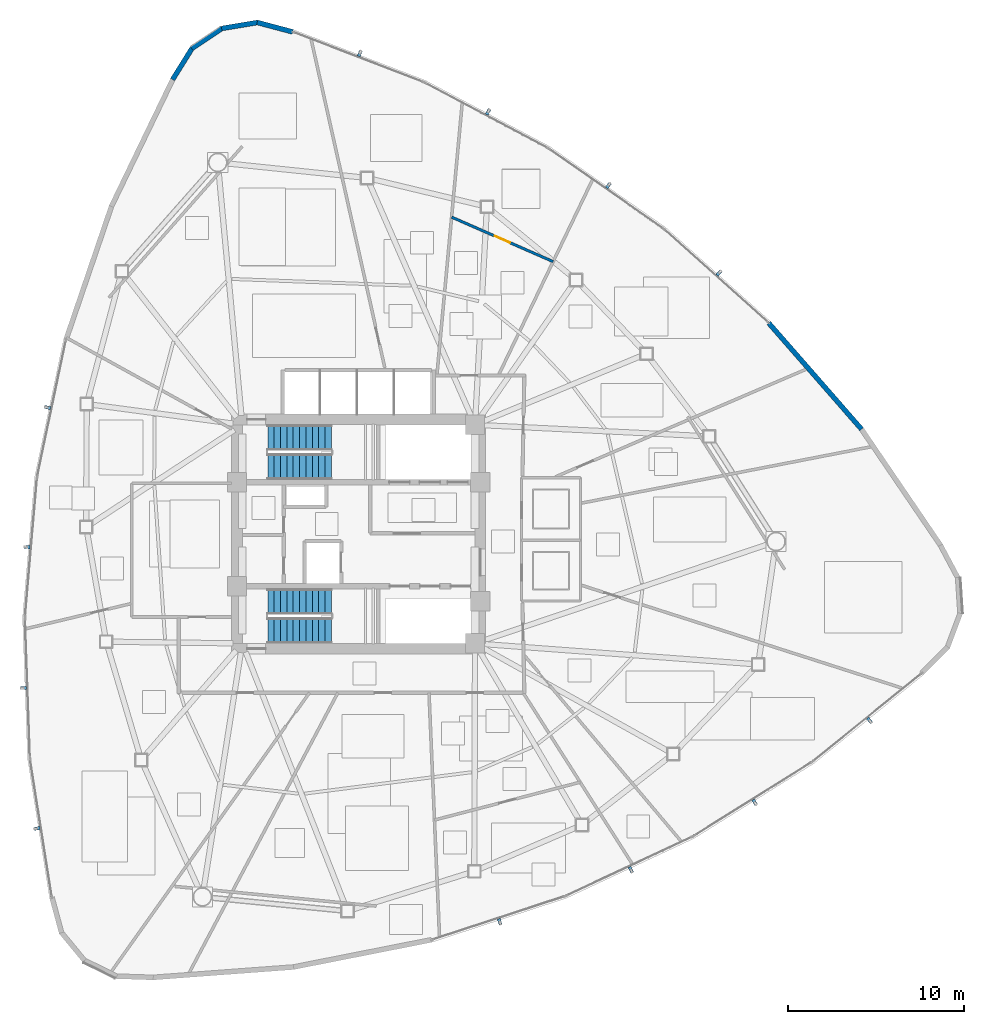
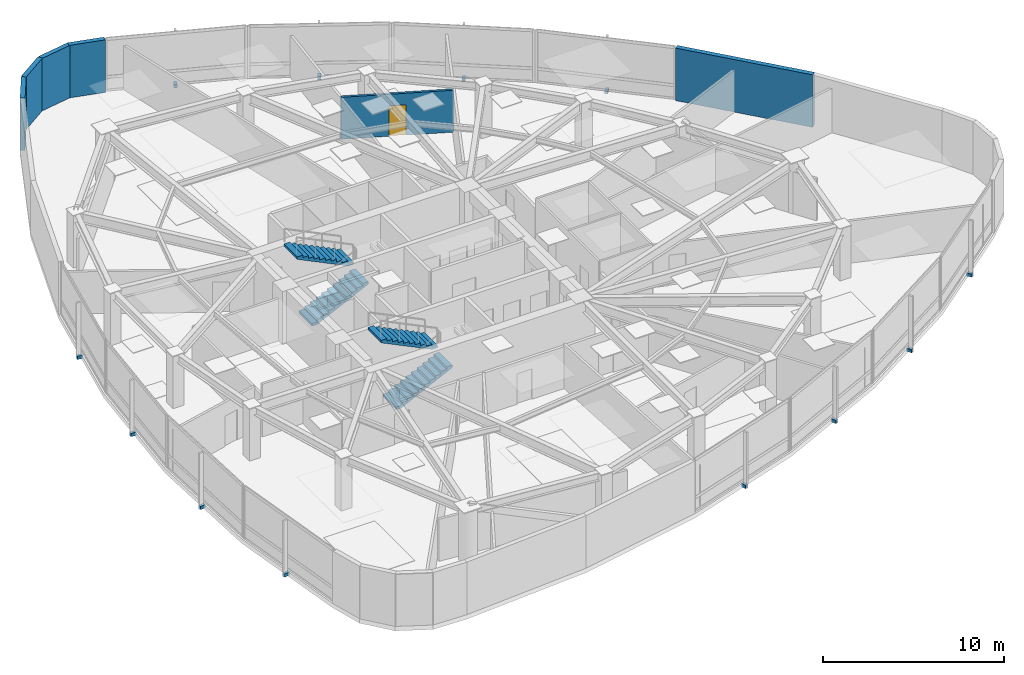
# One storey, part 13 of 17: 12 discrete accessories, 6 walls, 4 stair flights, 1 door, 1 opening, 2 elements without a shape of their own.
"""IFC4 building model written with IfcOpenShell, lengths in metres."""

from ifc_helpers import new_model, si_unit, direction, frame, frame_2d, origin, origin_2d, place, context, subcontext, project, spatial, polyline, rectangle, outline, extrude, source, transform, mapped, material, layer, layer_set, type_object, type_shapes, element, fill, aggregate, save


model = new_model("IFC4")

# Units and contexts
model_context = context("Model", 3, precision=1e-05, world=origin(), true_north=direction((0.0, 1.0)))
body_context = subcontext(model_context, "Body", "Model", "MODEL_VIEW")
ifc_project = project(units=[si_unit("LENGTHUNIT", "METRE"), si_unit("AREAUNIT", "SQUARE_METRE"), si_unit("VOLUMEUNIT", "CUBIC_METRE"), si_unit("PLANEANGLEUNIT", "RADIAN"), si_unit("MASSUNIT", "GRAM", prefix="KILO")], contexts=[model_context])

# Site, building, storey
site_placement = place(None, origin())
site = spatial("IfcSite", under=ifc_project, at=site_placement, CompositionType="ELEMENT")
building_placement = place(site_placement, origin())
building = spatial("IfcBuilding", under=site, at=building_placement, Name="Tavelor Broadcast Tower", CompositionType="ELEMENT")
storey_placement = place(building_placement, frame((0.0, 0.0, 123.300048828125)))
storey = spatial("IfcBuildingStorey", under=building, at=storey_placement, Name="L28", CompositionType="ELEMENT", Elevation=123.300048828125)

# Walls
ifc_material_1 = material(Name="Precast Concrete C40/50", Category="concrete")
ifc_layer_1 = layer(ifc_material_1, 0.280029296875)
ifc_layer_set_1 = layer_set([ifc_layer_1], Name="Precast Concrete C40/50")
wall_type_1 = type_object("IfcWallType", Name="Insulated Precast Terracotta Facade Wall 280 mm", PredefinedType="STANDARD", material=ifc_layer_set_1)
wall_1_placement = place(storey_placement, frame((46.259033203125, 73.486328125, 0.0), z_axis=(0.0, 0.0, 1.0), x_axis=(-0.966591772712, 0.256320785201, 0.0)))
element("IfcWall", 1, at=wall_1_placement, inside=storey, type_object=wall_type_1, Name="L28 Rounded Corner Structural Cladding Pier 01", PredefinedType="STANDARD", context=body_context, shape_type="SweptSolid", body=[
    extrude(rectangle(XDim=2.083984375, YDim=0.280029296875, at=frame_2d((1.0419921875, 0.0))), origin(), (0.0, 0.0, 1.0), 3.550048828125),
])
wall_2_placement = place(storey_placement, frame((44.273681640625, 74.019287109375, 0.0), z_axis=(0.0, 0.0, 1.0), x_axis=(-0.986422565317, -0.164227045987, 0.0)))
element("IfcWall", 2, at=wall_2_placement, inside=storey, type_object=wall_type_1, Name="L28 Rounded Corner Structural Cladding Pier 02", PredefinedType="STANDARD", context=body_context, shape_type="SweptSolid", body=[
    extrude(rectangle(XDim=2.072265625, YDim=0.280029296875, at=frame_2d((1.0361328125, 0.0))), origin(), (0.0, 0.0, 1.0), 3.550048828125),
])
wall_3_placement = place(storey_placement, frame((42.256591796875, 73.689697265625, 0.0), z_axis=(0.0, 0.0, 1.0), x_axis=(-0.831469874952, -0.555569839937, 0.0)))
element("IfcWall", 3, at=wall_3_placement, inside=storey, type_object=wall_type_1, Name="L28 Rounded Corner Structural Cladding Pier 03", PredefinedType="STANDARD", context=body_context, shape_type="SweptSolid", body=[
    extrude(rectangle(XDim=2.072509765625, YDim=0.280029296875, at=frame_2d((1.0361328125, 0.0))), origin(), (0.0, 0.0, 1.0), 3.550048828125),
])
wall_4_placement = place(storey_placement, frame((40.553955078125, 72.559326171875, 0.0), z_axis=(0.0, 0.0, 1.0), x_axis=(-0.52922367914, -0.848482349515, 0.0)))
element("IfcWall", 4, at=wall_4_placement, inside=storey, type_object=wall_type_1, Name="L28 Rounded Corner Structural Cladding Pier 04", PredefinedType="STANDARD", context=body_context, shape_type="SweptSolid", body=[
    extrude(rectangle(XDim=2.09521484375, YDim=0.280029296875, at=frame_2d((1.047607421875, 0.0))), origin(), (0.0, 0.0, 1.0), 3.550048828125),
])
wall_5_placement = place(storey_placement, frame((78.529296875, 50.947998046875, 0.0), z_axis=(0.0, 0.0, 1.0), x_axis=(-0.658372905395, 0.752691914027, 0.0)))
element("IfcWall", 5, at=wall_5_placement, inside=storey, type_object=wall_type_1, Name="L28 Rounded Corner Structural Cladding Pier 26", PredefinedType="STANDARD", context=body_context, shape_type="SweptSolid", body=[
    extrude(rectangle(XDim=8.006103515625, YDim=0.280029296875, at=frame_2d((4.0029296875, 0.0))), origin(), (0.0, 0.0, 1.0), 3.550048828125),
])

# Wall, opening, door
ifc_material_2 = material(Name="Gypsum Acoustic Plasterboard 150 mm", Category="gypsum")
ifc_layer_2 = layer(ifc_material_2, 0.14990234375)
ifc_layer_set_2 = layer_set([ifc_layer_2], Name="Gypsum Acoustic Plasterboard 150 mm")
wall_type_2 = type_object("IfcWallType", Name="Interior Acoustic Partition Wall 150 mm", PredefinedType="PARTITIONING", material=ifc_layer_set_2)
wall_6_placement = place(storey_placement, frame((61.031494140625, 60.45654296875, 0.0), z_axis=(0.0, 0.0, 1.0), x_axis=(-0.915931728513, 0.401334111065, 0.0)))
wall_6 = element("IfcWall", 6, at=wall_6_placement, inside=storey, type_object=wall_type_2, Name="L28 Suite Chord Partition Wall 02", PredefinedType="PARTITIONING", context=body_context, shape_type="SweptSolid", body=[
    extrude(rectangle(XDim=6.28759765625, YDim=0.14990234375, at=frame_2d((3.143798828125, 0.0))), origin(), (0.0, 0.0, 1.0), 2.8349609375),
])
opening_placement = place(wall_6_placement, frame((2.668701171875, 0.0, 0.0)))
opening = element("IfcOpeningElement", 7, at=opening_placement, cuts=wall_6, Name="Opening DR23", PredefinedType="OPENING", context=body_context, shape_type="SweptSolid", body=[
    extrude(rectangle(XDim=0.949951171875, YDim=2.050048828125, at=frame_2d((0.47509765625, 1.02490234375))), frame((0.0, 0.0849609375, 0.0), z_axis=(0.0, -1.0, 0.0), x_axis=(1.0, 0.0, 0.0)), (0.0, 0.0, 1.0), 0.169921875),
])
ifc_material_3 = material(Name="Timber Solid Core Hardwood", Category="wood")
door_type = type_object("IfcDoorType", Name="Editorial Room Acoustic Door 950x2050", OperationType="NOTDEFINED", PredefinedType="DOOR", material=ifc_material_3)
door_placement = place(opening_placement, origin())
door = element("IfcDoor", 8, at=door_placement, inside=storey, type_object=door_type, Name="L28 Outer Suite Partition Door 2", OperationType="SINGLE_SWING_LEFT", OverallHeight=2.050048828125, OverallWidth=0.949951171875, PredefinedType="DOOR", context=body_context, shape_type="SweptSolid", body=[
    extrude(rectangle(XDim=0.949951171875, YDim=2.050048828125, at=frame_2d((0.47509765625, 1.02490234375))), frame((0.0, 0.02490234375, 0.0), z_axis=(0.0, -1.0, 0.0), x_axis=(1.0, 0.0, 0.0)), (0.0, 0.0, 1.0), 0.050048828125),
])
fill(opening, door)

# Stair, stair flights
ifc_material_4 = material(Name="Concrete C40/50", Category="concrete")
stair_type = type_object("IfcStairType", Name="Reinforced Concrete Protected Dogleg Stair 1450 mm", PredefinedType="HALF_TURN_STAIR", material=ifc_material_4)
stair_1_placement = place(storey_placement, origin())
stair_1 = element("IfcStair", 9, at=stair_1_placement, inside=storey, type_object=stair_type, Name="L28 Protected Core Exit Stair ST1", PredefinedType="HALF_TURN_STAIR")
stair_flight_type = type_object("IfcStairFlightType", Name="Reinforced Concrete Stair Flight 1450 mm", PredefinedType="STRAIGHT", material=ifc_material_4)
stair_flight_1_placement = place(storey_placement, frame((44.85009765625, 48.824951171875, 0.0), z_axis=(0.0, 0.0, 1.0), x_axis=(1.0, 0.0, 0.0)))
stair_flight_1 = element("IfcStairFlight", 10, at=stair_flight_1_placement, type_object=stair_flight_type, Name="ST1 flight 1", NumberOfRisers=11, NumberOfTreads=10, PredefinedType="STRAIGHT", RiserHeight=0.175, TreadLength=0.36, context=body_context, shape_type="SweptSolid", body=[
    extrude(outline(polyline([(0.0, 0.0), (0.0, 0.175048828125), (0.360107421875, 0.175048828125), (0.360107421875, 0.35009765625), (0.719970703125, 0.35009765625), (0.719970703125, 0.52490234375), (1.080078125, 0.52490234375), (1.080078125, 0.699951171875), (1.43994140625, 0.699951171875), (1.43994140625, 0.875), (1.800048828125, 0.875), (1.800048828125, 1.050048828125), (2.159912109375, 1.050048828125), (2.159912109375, 1.22509765625), (2.52001953125, 1.22509765625), (2.52001953125, 1.39990234375), (2.8798828125, 1.39990234375), (2.8798828125, 1.574951171875), (3.239990234375, 1.574951171875), (3.239990234375, 1.75), (3.60009765625, 1.75), (3.60009765625, 1.925048828125), (3.60009765625, 1.583251953125), (0.3427734375, 0.0), (0.0, 0.0)])), frame((0.0, 0.72509765625, 0.0), z_axis=(0.0, -1.0, 0.0), x_axis=(1.0, 0.0, 0.0)), (0.0, 0.0, 1.0), 1.449951171875),
])
stair_flight_2_placement = place(storey_placement, frame((48.449951171875, 50.47509765625, 1.925048828125), z_axis=(0.0, 0.0, 1.0), x_axis=(-1.0, 0.0, 0.0)))
stair_flight_2 = element("IfcStairFlight", 11, at=stair_flight_2_placement, type_object=stair_flight_type, Name="ST1 flight 2", NumberOfRisers=11, NumberOfTreads=10, PredefinedType="STRAIGHT", RiserHeight=0.175, TreadLength=0.36, context=body_context, shape_type="SweptSolid", body=[
    extrude(outline(polyline([(0.0, 0.0), (0.0, 0.175048828125), (0.360107421875, 0.175048828125), (0.360107421875, 0.35009765625), (0.719970703125, 0.35009765625), (0.719970703125, 0.52490234375), (1.080078125, 0.52490234375), (1.080078125, 0.699951171875), (1.43994140625, 0.699951171875), (1.43994140625, 0.875), (1.800048828125, 0.875), (1.800048828125, 1.050048828125), (2.159912109375, 1.050048828125), (2.159912109375, 1.22509765625), (2.52001953125, 1.22509765625), (2.52001953125, 1.39990234375), (2.8798828125, 1.39990234375), (2.8798828125, 1.574951171875), (3.239990234375, 1.574951171875), (3.239990234375, 1.75), (3.60009765625, 1.75), (3.60009765625, 1.925048828125), (3.60009765625, 1.583251953125), (0.3427734375, 0.0), (0.0, 0.0)])), frame((0.0, 0.72509765625, 0.0), z_axis=(0.0, -1.0, 0.0), x_axis=(1.0, 0.0, 0.0)), (0.0, 0.0, 1.0), 1.449951171875),
])
aggregate(stair_1, [stair_flight_1, stair_flight_2])

stair_2_placement = place(storey_placement, origin())
stair_2 = element("IfcStair", 12, at=stair_2_placement, inside=storey, type_object=stair_type, Name="L28 Protected Core Exit Stair ST2", PredefinedType="HALF_TURN_STAIR")
stair_flight_3_placement = place(storey_placement, frame((44.85009765625, 39.52490234375, 0.0), z_axis=(0.0, 0.0, 1.0), x_axis=(1.0, 0.0, 0.0)))
stair_flight_3 = element("IfcStairFlight", 13, at=stair_flight_3_placement, type_object=stair_flight_type, Name="ST2 flight 1", NumberOfRisers=11, NumberOfTreads=10, PredefinedType="STRAIGHT", RiserHeight=0.175, TreadLength=0.36, context=body_context, shape_type="SweptSolid", body=[
    extrude(outline(polyline([(0.0, 0.0), (0.0, 0.175048828125), (0.360107421875, 0.175048828125), (0.360107421875, 0.35009765625), (0.719970703125, 0.35009765625), (0.719970703125, 0.52490234375), (1.080078125, 0.52490234375), (1.080078125, 0.699951171875), (1.43994140625, 0.699951171875), (1.43994140625, 0.875), (1.800048828125, 0.875), (1.800048828125, 1.050048828125), (2.159912109375, 1.050048828125), (2.159912109375, 1.22509765625), (2.52001953125, 1.22509765625), (2.52001953125, 1.39990234375), (2.8798828125, 1.39990234375), (2.8798828125, 1.574951171875), (3.239990234375, 1.574951171875), (3.239990234375, 1.75), (3.60009765625, 1.75), (3.60009765625, 1.925048828125), (3.60009765625, 1.583251953125), (0.3427734375, 0.0), (0.0, 0.0)])), frame((0.0, 0.72509765625, 0.0), z_axis=(0.0, -1.0, 0.0), x_axis=(1.0, 0.0, 0.0)), (0.0, 0.0, 1.0), 1.449951171875),
])
stair_flight_4_placement = place(storey_placement, frame((48.449951171875, 41.175048828125, 1.925048828125), z_axis=(0.0, 0.0, 1.0), x_axis=(-1.0, 0.0, 0.0)))
stair_flight_4 = element("IfcStairFlight", 14, at=stair_flight_4_placement, type_object=stair_flight_type, Name="ST2 flight 2", NumberOfRisers=11, NumberOfTreads=10, PredefinedType="STRAIGHT", RiserHeight=0.175, TreadLength=0.36, context=body_context, shape_type="SweptSolid", body=[
    extrude(outline(polyline([(0.0, 0.0), (0.0, 0.175048828125), (0.360107421875, 0.175048828125), (0.360107421875, 0.35009765625), (0.719970703125, 0.35009765625), (0.719970703125, 0.52490234375), (1.080078125, 0.52490234375), (1.080078125, 0.699951171875), (1.43994140625, 0.699951171875), (1.43994140625, 0.875), (1.800048828125, 0.875), (1.800048828125, 1.050048828125), (2.159912109375, 1.050048828125), (2.159912109375, 1.22509765625), (2.52001953125, 1.22509765625), (2.52001953125, 1.39990234375), (2.8798828125, 1.39990234375), (2.8798828125, 1.574951171875), (3.239990234375, 1.574951171875), (3.239990234375, 1.75), (3.60009765625, 1.75), (3.60009765625, 1.925048828125), (3.60009765625, 1.583251953125), (0.3427734375, 0.0), (0.0, 0.0)])), frame((0.0, 0.72509765625, 0.0), z_axis=(0.0, -1.0, 0.0), x_axis=(1.0, 0.0, 0.0)), (0.0, 0.0, 1.0), 1.449951171875),
])
aggregate(stair_2, [stair_flight_3, stair_flight_4])

# Discrete accessories
ifc_material_5 = material(Name="Steel S355", Category="steel")
discrete_accessory_type = type_object("IfcDiscreteAccessoryType", Name="Stainless Baguette Outrigger Support Bracket 260x180", PredefinedType="BRACKET", material=ifc_material_5)
shared_shape = source(origin(), body_context, "Body", "SweptSolid", [
    extrude(rectangle(XDim=0.179931640625, YDim=0.340087890625, at=origin_2d()), origin(), (0.0, 0.0, 1.0), 0.216064453125),
])
type_shapes(discrete_accessory_type, [shared_shape])
for number, where, z_axis, x_axis, name in (
    (15, (32.364990234375, 52.1787109375, -0.25830078125), (0.0, 0.0, 1.0), (-0.205691811048, -0.978616819224, 0.0), "L28 Baguette Outrigger Bracket 265"),
    (16, (31.196533203125, 44.265380859375, -0.25830078125), (0.0, 0.0, 1.0), (-0.085938596582, -0.99630043542, 0.0), "L28 Baguette Outrigger Bracket 266"),
    (17, (30.994140625, 36.268798828125, -0.25830078125), (0.0, 0.0, 1.0), (0.035422771708, -0.999372416692, 0.0), "L28 Baguette Outrigger Bracket 267"),
    (18, (31.760986328125, 28.306640625, -0.25830078125), (0.0, 0.0, 1.0), (0.156089687246, -0.98774288635, 0.0), "L28 Baguette Outrigger Bracket 268"),
    (19, (58.00048828125, 23.020751953125, -0.25830078125), (0.0, 0.0, 1.0), (0.950352931542, 0.311174075894, 0.0), "L28 Baguette Outrigger Bracket 269"),
    (20, (65.43798828125, 25.96533203125, -0.25830078125), (0.0, 0.0, 1.0), (0.90571681737, 0.423883293765, 0.0), "L28 Baguette Outrigger Bracket 270"),
    (21, (72.46435546875, 29.788330078125, -0.25830078125), (0.0, 0.0, 1.0), (0.847770514843, 0.530363228518, 0.0), "L28 Baguette Outrigger Bracket 271"),
    (22, (78.976318359375, 34.43359375, -0.25830078125), (0.0, 0.0, 1.0), (0.777365588364, 0.629049077599, 0.0), "L28 Baguette Outrigger Bracket 272"),
    (23, (70.434326171875, 59.80078125, -0.25830078125), (0.0, 0.0, 1.0), (-0.744544618419, 0.667572701047, 0.0), "L28 Baguette Outrigger Bracket 273"),
    (24, (64.16552734375, 64.769287109375, -0.25830078125), (0.0, 0.0, 1.0), (-0.819952109325, 0.572432125595, 0.0), "L28 Baguette Outrigger Bracket 274"),
    (25, (57.341552734375, 68.94287109375, -0.25830078125), (0.0, 0.0, 1.0), (-0.883193286551, 0.469009188174, 0.0), "L28 Baguette Outrigger Bracket 275"),
    (26, (50.062744140625, 72.259765625, -0.25830078125), (0.0, 0.0, 1.0), (-0.93345527561, 0.358693808751, 0.0), "L28 Baguette Outrigger Bracket 276"),
):
    element("IfcDiscreteAccessory", number, at=place(storey_placement, frame(where, z_axis=z_axis, x_axis=x_axis)), inside=storey, type_object=discrete_accessory_type, Name=name, PredefinedType="BRACKET", context=body_context, shape_type="MappedRepresentation", body=[
        mapped(shared_shape, transform((0.0, 0.0, 0.0), scale=1.0)),
    ])

save(model, "model.ifc")
